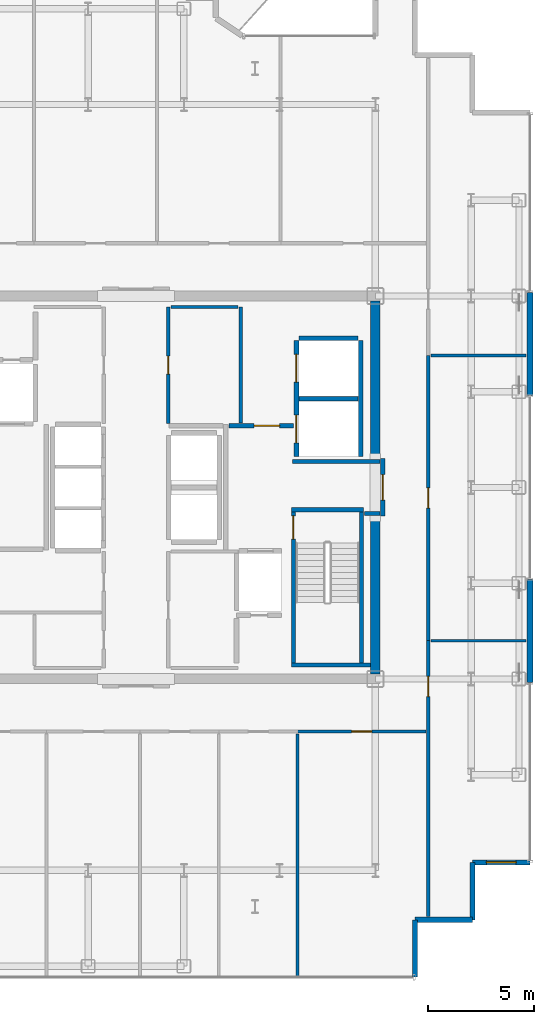
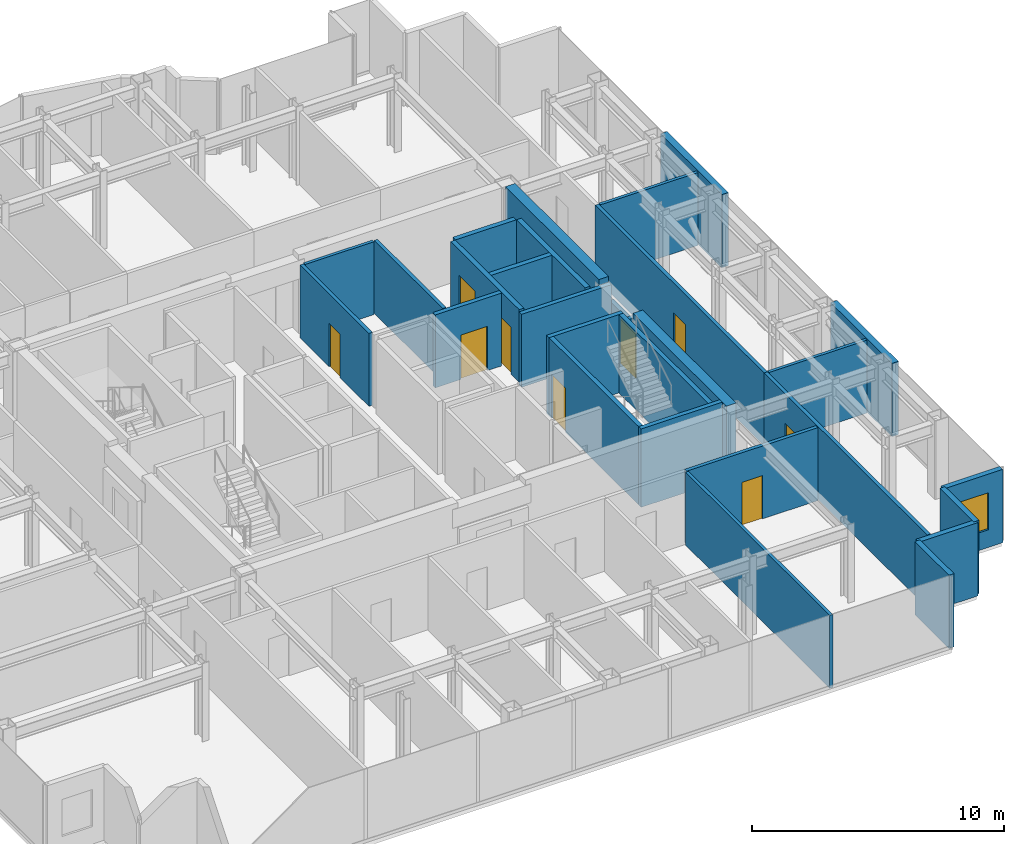
# One storey, part 13 of 16: 29 walls, 9 doors, 1 window, 10 openings.
"""IFC4 building model written with IfcOpenShell, lengths in metres."""

from ifc_helpers import new_model, si_unit, direction, frame, frame_2d, origin, place, context, subcontext, project, spatial, rectangle, extrude, source, transform, mapped, material, layer, layer_set, type_object, element, fill, save


model = new_model("IFC4")

# Units and contexts
model_context = context("Model", 3, precision=1e-05, world=origin(), true_north=direction((0.0, 1.0)))
body_context = subcontext(model_context, "Body", "Model", "MODEL_VIEW")
ifc_project = project(units=[si_unit("LENGTHUNIT", "METRE"), si_unit("AREAUNIT", "SQUARE_METRE"), si_unit("VOLUMEUNIT", "CUBIC_METRE"), si_unit("PLANEANGLEUNIT", "RADIAN"), si_unit("MASSUNIT", "GRAM", prefix="KILO")], contexts=[model_context])

# Site, building, storey
site_placement = place(None, origin())
site = spatial("IfcSite", under=ifc_project, at=site_placement, CompositionType="ELEMENT")
building_placement = place(site_placement, origin())
building = spatial("IfcBuilding", under=site, at=building_placement, Name="Nefas-Gora Pilgrimage Tower", CompositionType="ELEMENT")
storey_placement = place(building_placement, frame((0.0, 0.0, 276.0)))
storey = spatial("IfcBuildingStorey", under=building, at=storey_placement, Name="L69", CompositionType="ELEMENT", Elevation=276.0)

# Walls
ifc_material_1 = material(Name="Concrete C50/60", Category="concrete")
ifc_layer_1 = layer(ifc_material_1, 0.449951171875)
ifc_layer_set_1 = layer_set([ifc_layer_1], Name="Concrete C50/60")
wall_type_1 = type_object("IfcWallType", Name="SW-CORE-450", PredefinedType="SHEAR", material=ifc_layer_set_1)
shared_shape_1 = source(origin(), body_context, "Body", "SweptSolid", [
    extrude(rectangle(XDim=7.4248046875, YDim=0.449951171875, at=frame_2d((3.71240234375, 0.0))), origin(), (0.0, 0.0, 1.0), 3.800048828125),
])
for number, where, z_axis, x_axis, name in (
    (1, (11.25, -8.77490234375, 0.0), (0.0, 0.0, 1.0), (0.0, 1.0, 0.0), "L69 Core Shear Wall E-South"),
    (2, (11.25, 1.35009765625, 0.0), (0.0, 0.0, 1.0), (0.0, 1.0, 0.0), "L69 Core Shear Wall E-North"),
):
    element("IfcWall", number, at=place(storey_placement, frame(where, z_axis=z_axis, x_axis=x_axis)), inside=storey, type_object=wall_type_1, Name=name, PredefinedType="SHEAR", context=body_context, shape_type="MappedRepresentation", body=[
        mapped(shared_shape_1, transform((0.0, 0.0, 0.0), x_axis=(1.0, 0.0, 0.0), y_axis=(0.0, 1.0, 0.0), z_axis=(0.0, 0.0, 1.0), scale=1.0)),
    ])
ifc_material_2 = material(Name="Precast concrete C45/55", Category="concrete")
ifc_layer_2 = layer(ifc_material_2, 0.239990234375)
ifc_layer_set_2 = layer_set([ifc_layer_2], Name="Precast concrete C45/55")
wall_type_2 = type_object("IfcWallType", Name="EW-SERR-240", PredefinedType="SHEAR", material=ifc_layer_set_2)
shared_shape_2 = source(origin(), body_context, "Body", "SweptSolid", [
    extrude(rectangle(XDim=4.8798828125, YDim=0.300048828125, at=frame_2d((2.43994140625, 0.0))), origin(), (0.0, 0.0, 1.0), 3.550048828125),
])
for number, where, z_axis, x_axis, name in (
    (3, (18.52001953125, -9.18994140625, 0.0), (0.0, 0.0, 1.0), (0.0, 1.0, 0.0), "L69 Braced-Tube Precast Shear Cladding 3"),
    (4, (18.52001953125, 4.31005859375, 0.0), (0.0, 0.0, 1.0), (0.0, 1.0, 0.0), "L69 Braced-Tube Precast Shear Cladding 4"),
):
    element("IfcWall", number, at=place(storey_placement, frame(where, z_axis=z_axis, x_axis=x_axis)), inside=storey, type_object=wall_type_2, Name=name, PredefinedType="SHEAR", context=body_context, shape_type="MappedRepresentation", body=[
        mapped(shared_shape_2, transform((0.0, 0.0, 0.0), x_axis=(1.0, 0.0, 0.0), y_axis=(0.0, 1.0, 0.0), z_axis=(0.0, 0.0, 1.0), scale=1.0)),
    ])

# Wall, opening, window
shared_shape_3 = source(origin(), body_context, "Body", "SweptSolid", [
    extrude(rectangle(XDim=2.699951171875, YDim=0.239990234375, at=frame_2d((1.35009765625, 0.0))), origin(), (0.0, 0.0, 1.0), 3.550048828125),
])
wall_1_placement = place(storey_placement, frame((15.820068359375, -17.6201171875, 0.0), z_axis=(0.0, 0.0, 1.0), x_axis=(1.0, 0.0, 0.0)))
wall_1 = element("IfcWall", 5, at=wall_1_placement, inside=storey, type_object=wall_type_2, Name="L69 Serrated Corner Shear Pier Wall 5", PredefinedType="SHEAR", context=body_context, shape_type="MappedRepresentation", body=[
    mapped(shared_shape_3, transform((0.0, 0.0, 0.0), x_axis=(1.0, 0.0, 0.0), y_axis=(0.0, 1.0, 0.0), z_axis=(0.0, 0.0, 1.0), scale=1.0)),
])
opening_1_placement = place(wall_1_placement, frame((0.64990234375, 0.0, 0.85009765625)))
opening_1 = element("IfcOpeningElement", 6, at=opening_1_placement, cuts=wall_1, Name="Opening W-V2", PredefinedType="OPENING", context=body_context, shape_type="SweptSolid", body=[
    extrude(rectangle(XDim=1.39990234375, YDim=1.800048828125, at=frame_2d((0.699951171875, 0.89990234375))), frame((0.0, 0.1298828125, 0.0), z_axis=(0.0, -1.0, 0.0), x_axis=(1.0, 0.0, 0.0)), (0.0, 0.0, 1.0), 0.260009765625),
])
ifc_material_3 = material(Name="Dark ceramic-fritted operable aluminium-glass window", Category="aluminium")
window_type = type_object("IfcWindowType", Name="WIN-VENT-1400x1800", PartitioningType="SINGLE_PANEL", PredefinedType="WINDOW", material=ifc_material_3)
shared_shape_4 = source(origin(), body_context, "Body", "SweptSolid", [
    extrude(rectangle(XDim=1.39990234375, YDim=1.800048828125, at=frame_2d((0.699951171875, 0.89990234375))), frame((0.0, 0.030029296875, 0.0), z_axis=(0.0, -1.0, 0.0), x_axis=(1.0, 0.0, 0.0)), (0.0, 0.0, 1.0), 0.06005859375),
])
window_placement = place(opening_1_placement, origin())
window = element("IfcWindow", 7, at=window_placement, inside=storey, type_object=window_type, Name="L69 Operable Parallel-Outswing Window 5", OverallHeight=1.800048828125, OverallWidth=1.39990234375, PartitioningType="SINGLE_PANEL", PredefinedType="WINDOW", context=body_context, shape_type="MappedRepresentation", body=[
    mapped(shared_shape_4, transform((0.0, 0.0, 0.0), x_axis=(1.0, 0.0, 0.0), y_axis=(0.0, 1.0, 0.0), z_axis=(0.0, 0.0, 1.0), scale=1.0)),
])
fill(opening_1, window)

# Walls
for number, where, z_axis, x_axis, name in (
    (8, (13.1201171875, -23.02001953125, 0.0), (0.0, 0.0, 1.0), (0.0, 1.0, 0.0), "L69 Serrated Corner Shear Pier Wall 29"),
    (9, (13.1201171875, -20.320068359375, 0.0), (0.0, 0.0, 1.0), (1.0, 0.0, 0.0), "L69 Serrated Corner Shear Pier Wall 30"),
    (10, (15.820068359375, -20.320068359375, 0.0), (0.0, 0.0, 1.0), (0.0, 1.0, 0.0), "L69 Serrated Corner Shear Pier Wall 31"),
):
    element("IfcWall", number, at=place(storey_placement, frame(where, z_axis=z_axis, x_axis=x_axis)), inside=storey, type_object=wall_type_2, Name=name, PredefinedType="SHEAR", context=body_context, shape_type="MappedRepresentation", body=[
        mapped(shared_shape_3, transform((0.0, 0.0, 0.0), x_axis=(1.0, 0.0, 0.0), y_axis=(0.0, 1.0, 0.0), z_axis=(0.0, 0.0, 1.0), scale=1.0)),
    ])
ifc_material_4 = material(Name="Concrete C45/55", Category="concrete")
ifc_layer_3 = layer(ifc_material_4, 0.199951171875)
ifc_layer_set_3 = layer_set([ifc_layer_3], Name="Concrete C45/55")
wall_type_3 = type_object("IfcWallType", Name="IW-STAIR-200", PredefinedType="SOLIDWALL", material=ifc_layer_set_3)
shared_shape_5 = source(origin(), body_context, "Body", "SweptSolid", [
    extrude(rectangle(XDim=3.39990234375, YDim=0.199951171875, at=frame_2d((1.699951171875, 0.0))), origin(), (0.0, 0.0, 1.0), 3.800048828125),
])
wall_2_placement = place(storey_placement, frame((7.300048828125, -1.050048828125, 0.0), z_axis=(0.0, 0.0, 1.0), x_axis=(1.0, 0.0, 0.0)))
element("IfcWall", 11, at=wall_2_placement, inside=storey, type_object=wall_type_3, Name="L69 Stairwell Shear Wall ST-02-near", PredefinedType="SOLIDWALL", context=body_context, shape_type="MappedRepresentation", body=[
    mapped(shared_shape_5, transform((0.0, 0.0, 0.0), x_axis=(1.0, 0.0, 0.0), y_axis=(0.0, 1.0, 0.0), z_axis=(0.0, 0.0, 1.0), scale=1.0)),
])

# Wall, opening, door
shared_shape_6 = source(origin(), body_context, "Body", "SweptSolid", [
    extrude(rectangle(XDim=7.10009765625, YDim=0.199951171875, at=frame_2d((3.550048828125, 0.0))), origin(), (0.0, 0.0, 1.0), 3.800048828125),
])
wall_3_placement = place(storey_placement, frame((7.39990234375, -1.14990234375, 0.0), z_axis=(0.0, 0.0, 1.0), x_axis=(0.0, -1.0, 0.0)))
wall_3 = element("IfcWall", 12, at=wall_3_placement, inside=storey, type_object=wall_type_3, Name="L69 Stairwell Shear Wall ST-02-left", PredefinedType="SOLIDWALL", context=body_context, shape_type="MappedRepresentation", body=[
    mapped(shared_shape_6, transform((0.0, 0.0, 0.0), x_axis=(1.0, 0.0, 0.0), y_axis=(0.0, 1.0, 0.0), z_axis=(0.0, 0.0, 1.0), scale=1.0)),
])
opening_2_placement = place(wall_3_placement, frame((0.179931640625, 0.0, 0.0)))
opening_2 = element("IfcOpeningElement", 13, at=opening_2_placement, cuts=wall_3, Name="Opening ID-ST1", PredefinedType="OPENING", context=body_context, shape_type="SweptSolid", body=[
    extrude(rectangle(XDim=1.10009765625, YDim=2.14990234375, at=frame_2d((0.550048828125, 1.074951171875))), frame((0.0, 0.10986328125, 0.0), z_axis=(0.0, -1.0, 0.0), x_axis=(1.0, 0.0, 0.0)), (0.0, 0.0, 1.0), 0.219970703125),
])
ifc_material_5 = material(Name="Painted galvanised steel fire stair door", Category="steel")
door_type_1 = type_object("IfcDoorType", Name="DR-INT-STAIR-1100", OperationType="NOTDEFINED", PredefinedType="DOOR", material=ifc_material_5)
shared_shape_7 = source(origin(), body_context, "Body", "SweptSolid", [
    extrude(rectangle(XDim=1.10009765625, YDim=2.14990234375, at=frame_2d((0.550048828125, 1.074951171875))), frame((0.0, 0.02490234375, 0.0), z_axis=(0.0, -1.0, 0.0), x_axis=(1.0, 0.0, 0.0)), (0.0, 0.0, 1.0), 0.050048828125),
])
door_1_placement = place(opening_2_placement, origin())
door_1 = element("IfcDoor", 14, at=door_1_placement, inside=storey, type_object=door_type_1, Name="L69 Protected Exit Stair Door ST-02", OperationType="SINGLE_SWING_RIGHT", OverallHeight=2.14990234375, OverallWidth=1.10009765625, PredefinedType="DOOR", context=body_context, shape_type="MappedRepresentation", body=[
    mapped(shared_shape_7, transform((0.0, 0.0, 0.0), x_axis=(1.0, 0.0, 0.0), y_axis=(0.0, 1.0, 0.0), z_axis=(0.0, 0.0, 1.0), scale=1.0)),
])
fill(opening_2, door_1)

# Walls
wall_4_placement = place(storey_placement, frame((10.60009765625, -1.14990234375, 0.0), z_axis=(0.0, 0.0, 1.0), x_axis=(0.0, -1.0, 0.0)))
element("IfcWall", 15, at=wall_4_placement, inside=storey, type_object=wall_type_3, Name="L69 Stairwell Shear Wall ST-02-right", PredefinedType="SOLIDWALL", context=body_context, shape_type="MappedRepresentation", body=[
    mapped(shared_shape_6, transform((0.0, 0.0, 0.0), x_axis=(1.0, 0.0, 0.0), y_axis=(0.0, 1.0, 0.0), z_axis=(0.0, 0.0, 1.0), scale=1.0)),
])
shared_shape_8 = source(origin(), body_context, "Body", "SweptSolid", [
    extrude(rectangle(XDim=3.72998046875, YDim=0.199951171875, at=frame_2d((1.864990234375, 0.0))), origin(), (0.0, 0.0, 1.0), 3.800048828125),
])
wall_5_placement = place(storey_placement, frame((7.300048828125, -8.35009765625, 0.0), z_axis=(0.0, 0.0, 1.0), x_axis=(1.0, 0.0, 0.0)))
element("IfcWall", 16, at=wall_5_placement, inside=storey, type_object=wall_type_3, Name="L69 Stairwell Shear Wall ST-02-far", PredefinedType="SOLIDWALL", context=body_context, shape_type="MappedRepresentation", body=[
    mapped(shared_shape_8, transform((0.0, 0.0, 0.0), x_axis=(1.0, 0.0, 0.0), y_axis=(0.0, 1.0, 0.0), z_axis=(0.0, 0.0, 1.0), scale=1.0)),
])

# Wall, openings, doors
ifc_material_6 = material(Name="Concrete C40/50", Category="concrete")
ifc_layer_4 = layer(ifc_material_6, 0.219970703125)
ifc_layer_set_4 = layer_set([ifc_layer_4], Name="Concrete C40/50")
wall_type_4 = type_object("IfcWallType", Name="IW-SHAFT-220", PredefinedType="SOLIDWALL", material=ifc_layer_set_4)
shared_shape_9 = source(origin(), body_context, "Body", "SweptSolid", [
    extrude(rectangle(XDim=5.449951171875, YDim=0.219970703125, at=frame_2d((2.72509765625, 0.0))), origin(), (0.0, 0.0, 1.0), 3.534912109375),
])
wall_6_placement = place(storey_placement, frame((7.5400390625, 6.89990234375, 0.0), z_axis=(0.0, 0.0, 1.0), x_axis=(0.0, -1.0, 0.0)))
wall_6 = element("IfcWall", 17, at=wall_6_placement, inside=storey, type_object=wall_type_4, Name="L69 Hoistway Wall SL-01-02-W", PredefinedType="SOLIDWALL", context=body_context, shape_type="MappedRepresentation", body=[
    mapped(shared_shape_9, transform((0.0, 0.0, 0.0), x_axis=(1.0, 0.0, 0.0), y_axis=(0.0, 1.0, 0.0), z_axis=(0.0, 0.0, 1.0), scale=1.0)),
])
opening_3_placement = place(wall_6_placement, frame((3.5, 0.0, 0.0)))
opening_3 = element("IfcOpeningElement", 18, at=opening_3_placement, cuts=wall_6, Name="Opening LD-SV", PredefinedType="OPENING", context=body_context, shape_type="SweptSolid", body=[
    extrude(rectangle(XDim=1.300048828125, YDim=2.300048828125, at=frame_2d((0.64990234375, 1.14990234375))), frame((0.0, 0.119873046875, 0.0), z_axis=(0.0, -1.0, 0.0), x_axis=(1.0, 0.0, 0.0)), (0.0, 0.0, 1.0), 0.239990234375),
])
opening_4_placement = place(wall_6_placement, frame((0.64990234375, 0.0, 0.0)))
opening_4 = element("IfcOpeningElement", 19, at=opening_4_placement, cuts=wall_6, Name="Opening LD-SV", PredefinedType="OPENING", context=body_context, shape_type="SweptSolid", body=[
    extrude(rectangle(XDim=1.300048828125, YDim=2.300048828125, at=frame_2d((0.64990234375, 1.14990234375))), frame((0.0, 0.119873046875, 0.0), z_axis=(0.0, -1.0, 0.0), x_axis=(1.0, 0.0, 0.0)), (0.0, 0.0, 1.0), 0.239990234375),
])
ifc_material_7 = material(Name="Heavy goods sliding lift landing door")
door_type_2 = type_object("IfcDoorType", Name="DR-LIFT-SERV-1300", OperationType="SLIDING_TO_RIGHT", PredefinedType="DOOR", material=ifc_material_7)
shared_shape_10 = source(origin(), body_context, "Body", "SweptSolid", [
    extrude(rectangle(XDim=1.300048828125, YDim=2.300048828125, at=frame_2d((0.64990234375, 1.14990234375))), frame((0.0, 0.02490234375, 0.0), z_axis=(0.0, -1.0, 0.0), x_axis=(1.0, 0.0, 0.0)), (0.0, 0.0, 1.0), 0.050048828125),
])
door_2_placement = place(opening_3_placement, origin())
door_2 = element("IfcDoor", 20, at=door_2_placement, inside=storey, type_object=door_type_2, Name="L69 Sliding Lift Landing Door SL-01", OperationType="SLIDING_TO_RIGHT", OverallHeight=2.300048828125, OverallWidth=1.300048828125, PredefinedType="DOOR", context=body_context, shape_type="MappedRepresentation", body=[
    mapped(shared_shape_10, transform((0.0, 0.0, 0.0), x_axis=(1.0, 0.0, 0.0), y_axis=(0.0, 1.0, 0.0), z_axis=(0.0, 0.0, 1.0), scale=1.0)),
])
fill(opening_3, door_2)
door_3_placement = place(opening_4_placement, origin())
door_3 = element("IfcDoor", 21, at=door_3_placement, inside=storey, type_object=door_type_2, Name="L69 Sliding Lift Landing Door SL-02", OperationType="SLIDING_TO_RIGHT", OverallHeight=2.300048828125, OverallWidth=1.300048828125, PredefinedType="DOOR", context=body_context, shape_type="MappedRepresentation", body=[
    mapped(shared_shape_10, transform((0.0, 0.0, 0.0), x_axis=(1.0, 0.0, 0.0), y_axis=(0.0, 1.0, 0.0), z_axis=(0.0, 0.0, 1.0), scale=1.0)),
])
fill(opening_4, door_3)

# Walls
wall_7_placement = place(storey_placement, frame((10.56005859375, 1.449951171875, 0.0), z_axis=(0.0, 0.0, 1.0), x_axis=(0.0, 1.0, 0.0)))
element("IfcWall", 22, at=wall_7_placement, inside=storey, type_object=wall_type_4, Name="L69 Hoistway Wall SL-01-02-E", PredefinedType="SOLIDWALL", context=body_context, shape_type="MappedRepresentation", body=[
    mapped(shared_shape_9, transform((0.0, 0.0, 0.0), x_axis=(1.0, 0.0, 0.0), y_axis=(0.0, 1.0, 0.0), z_axis=(0.0, 0.0, 1.0), scale=1.0)),
])
shared_shape_11 = source(origin(), body_context, "Body", "SweptSolid", [
    extrude(rectangle(XDim=2.780029296875, YDim=0.219970703125, at=frame_2d((1.39013671875, 0.0))), origin(), (0.0, 0.0, 1.0), 3.534912109375),
])
for number, where, z_axis, x_axis, name in (
    (23, (7.659912109375, 4.175048828125, 0.0), (0.0, 0.0, 1.0), (1.0, 0.0, 0.0), "L69 Hoistway Wall SL-01-02-DIV"),
    (24, (10.43994140625, 7.010009765625, 0.0), (0.0, 0.0, 1.0), (-1.0, 0.0, 0.0), "L69 Hoistway Wall SL-02-N"),
):
    element("IfcWall", number, at=place(storey_placement, frame(where, z_axis=z_axis, x_axis=x_axis)), inside=storey, type_object=wall_type_4, Name=name, PredefinedType="SOLIDWALL", context=body_context, shape_type="MappedRepresentation", body=[
        mapped(shared_shape_11, transform((0.0, 0.0, 0.0), x_axis=(1.0, 0.0, 0.0), y_axis=(0.0, 1.0, 0.0), z_axis=(0.0, 0.0, 1.0), scale=1.0)),
    ])
ifc_material_8 = material(Name="Gypsum fire-rated shaftwall")
ifc_layer_5 = layer(ifc_material_8, 0.199951171875)
ifc_layer_set_5 = layer_set([ifc_layer_5], Name="Gypsum fire-rated shaftwall")
wall_type_5 = type_object("IfcWallType", Name="IW-FFLOB-200", PredefinedType="PARTITIONING", material=ifc_layer_set_5)
shared_shape_12 = source(origin(), body_context, "Body", "SweptSolid", [
    extrude(rectangle(XDim=0.719970703125, YDim=0.199951171875, at=frame_2d((0.35986328125, 0.0))), origin(), (0.0, 0.0, 1.0), 3.534912109375),
])
wall_8_placement = place(storey_placement, frame((10.739990234375, -1.219970703125, 0.0), z_axis=(0.0, 0.0, 1.0), x_axis=(1.0, 0.0, 0.0)))
element("IfcWall", 25, at=wall_8_placement, inside=storey, type_object=wall_type_5, Name="L69 FF Lobby East Throat S Wall 15", PredefinedType="PARTITIONING", context=body_context, shape_type="MappedRepresentation", body=[
    mapped(shared_shape_12, transform((0.0, 0.0, 0.0), x_axis=(1.0, 0.0, 0.0), y_axis=(0.0, 1.0, 0.0), z_axis=(0.0, 0.0, 1.0), scale=1.0)),
])

# Wall, opening, door
shared_shape_13 = source(origin(), body_context, "Body", "SweptSolid", [
    extrude(rectangle(XDim=3.039794921875, YDim=0.199951171875, at=frame_2d((1.52001953125, 0.0))), origin(), (0.0, 0.0, 1.0), 3.534912109375),
])
wall_9_placement = place(storey_placement, frame((4.360107421875, 2.89990234375, 0.0), z_axis=(0.0, 0.0, 1.0), x_axis=(1.0, 0.0, 0.0)))
wall_9 = element("IfcWall", 26, at=wall_9_placement, inside=storey, type_object=wall_type_5, Name="L69 FF Lobby East North Wall Wall 13", PredefinedType="PARTITIONING", context=body_context, shape_type="MappedRepresentation", body=[
    mapped(shared_shape_13, transform((0.0, 0.0, 0.0), x_axis=(1.0, 0.0, 0.0), y_axis=(0.0, 1.0, 0.0), z_axis=(0.0, 0.0, 1.0), scale=1.0)),
])
opening_5_placement = place(wall_9_placement, frame((1.18994140625, 0.0, 0.0)))
opening_5 = element("IfcOpeningElement", 27, at=opening_5_placement, cuts=wall_9, Name="Opening ID-PL1", PredefinedType="OPENING", context=body_context, shape_type="SweptSolid", body=[
    extrude(rectangle(XDim=1.199951171875, YDim=2.14990234375, at=frame_2d((0.60009765625, 1.074951171875))), frame((0.0, 0.10986328125, 0.0), z_axis=(0.0, -1.0, 0.0), x_axis=(1.0, 0.0, 0.0)), (0.0, 0.0, 1.0), 0.219970703125),
])
ifc_material_9 = material(Name="Heavy-duty steel plant room fire door", Category="steel")
door_type_3 = type_object("IfcDoorType", Name="DR-INT-PLANT-1200", OperationType="NOTDEFINED", PredefinedType="DOOR", material=ifc_material_9)
shared_shape_14 = source(origin(), body_context, "Body", "SweptSolid", [
    extrude(rectangle(XDim=1.199951171875, YDim=2.14990234375, at=frame_2d((0.60009765625, 1.074951171875))), frame((0.0, 0.02490234375, 0.0), z_axis=(0.0, -1.0, 0.0), x_axis=(1.0, 0.0, 0.0)), (0.0, 0.0, 1.0), 0.050048828125),
])
door_4_placement = place(opening_5_placement, origin())
door_4 = element("IfcDoor", 28, at=door_4_placement, inside=storey, type_object=door_type_3, Name="L69 Service Lift Lobby Door Door 5", OperationType="SINGLE_SWING_LEFT", OverallHeight=2.14990234375, OverallWidth=1.199951171875, PredefinedType="DOOR", context=body_context, shape_type="MappedRepresentation", body=[
    mapped(shared_shape_14, transform((0.0, 0.0, 0.0), x_axis=(1.0, 0.0, 0.0), y_axis=(0.0, 1.0, 0.0), z_axis=(0.0, 0.0, 1.0), scale=1.0)),
])
fill(opening_5, door_4)

# Walls
shared_shape_15 = source(origin(), body_context, "Body", "SweptSolid", [
    extrude(rectangle(XDim=4.10986328125, YDim=0.199951171875, at=frame_2d((2.054931640625, 0.0))), origin(), (0.0, 0.0, 1.0), 3.534912109375),
])
wall_10_placement = place(storey_placement, frame((7.35009765625, 1.219970703125, 0.0), z_axis=(0.0, 0.0, 1.0), x_axis=(1.0, 0.0, 0.0)))
element("IfcWall", 29, at=wall_10_placement, inside=storey, type_object=wall_type_5, Name="L69 FF Lobby East Throat N Wall 14", PredefinedType="PARTITIONING", context=body_context, shape_type="MappedRepresentation", body=[
    mapped(shared_shape_15, transform((0.0, 0.0, 0.0), x_axis=(1.0, 0.0, 0.0), y_axis=(0.0, 1.0, 0.0), z_axis=(0.0, 0.0, 1.0), scale=1.0)),
])
ifc_material_10 = material(Name="Gypsum twin-stud partition")
ifc_layer_6 = layer(ifc_material_10, 0.139892578125)
ifc_layer_set_6 = layer_set([ifc_layer_6], Name="Gypsum twin-stud partition")
wall_type_6 = type_object("IfcWallType", Name="IW-UNIT-140", PredefinedType="PARTITIONING", material=ifc_layer_set_6)
shared_shape_16 = source(origin(), body_context, "Body", "SweptSolid", [
    extrude(rectangle(XDim=3.150146484375, YDim=0.139892578125, at=frame_2d((1.5751953125, 0.0))), origin(), (0.0, 0.0, 1.0), 3.534912109375),
])
wall_11_placement = place(storey_placement, frame((1.639892578125, 8.47998046875, 0.0), z_axis=(0.0, 0.0, 1.0), x_axis=(1.0, 0.0, 0.0)))
element("IfcWall", 30, at=wall_11_placement, inside=storey, type_object=wall_type_6, Name="L69 Freed Bank-1 Amenity Supply Store Partition Wall 24", PredefinedType="PARTITIONING", context=body_context, shape_type="MappedRepresentation", body=[
    mapped(shared_shape_16, transform((0.0, 0.0, 0.0), x_axis=(1.0, 0.0, 0.0), y_axis=(0.0, 1.0, 0.0), z_axis=(0.0, 0.0, 1.0), scale=1.0)),
])

# Wall, opening, door
ifc_material_11 = material(Name="Gypsum acoustic stud partition")
ifc_layer_7 = layer(ifc_material_11, 0.159912109375)
ifc_layer_set_7 = layer_set([ifc_layer_7], Name="Gypsum acoustic stud partition")
wall_type_7 = type_object("IfcWallType", Name="IW-CORR-160", PredefinedType="PARTITIONING", material=ifc_layer_set_7)
shared_shape_17 = source(origin(), body_context, "Body", "SweptSolid", [
    extrude(rectangle(XDim=6.025146484375, YDim=0.159912109375, at=frame_2d((3.0126953125, 0.0))), origin(), (0.0, 0.0, 1.0), 3.534912109375),
])
wall_12_placement = place(storey_placement, frame((7.594970703125, -11.469970703125, 0.0), z_axis=(0.0, 0.0, 1.0), x_axis=(1.0, 0.0, 0.0)))
wall_12 = element("IfcWall", 31, at=wall_12_placement, inside=storey, type_object=wall_type_7, Name="L69 Pilgrim Contemplative Lounge Partition Wall 65", PredefinedType="PARTITIONING", context=body_context, shape_type="MappedRepresentation", body=[
    mapped(shared_shape_17, transform((0.0, 0.0, 0.0), x_axis=(1.0, 0.0, 0.0), y_axis=(0.0, 1.0, 0.0), z_axis=(0.0, 0.0, 1.0), scale=1.0)),
])
opening_6_placement = place(wall_12_placement, frame((2.53759765625, 0.0, 0.0)))
opening_6 = element("IfcOpeningElement", 32, at=opening_6_placement, cuts=wall_12, Name="Opening ID-GR1", PredefinedType="OPENING", context=body_context, shape_type="SweptSolid", body=[
    extrude(rectangle(XDim=0.949951171875, YDim=2.10009765625, at=frame_2d((0.47509765625, 1.050048828125))), frame((0.0, 0.08984375, 0.0), z_axis=(0.0, -1.0, 0.0), x_axis=(1.0, 0.0, 0.0)), (0.0, 0.0, 1.0), 0.179931640625),
])
ifc_material_12 = material(Name="Solid core oak fire-rated guest entrance door")
door_type_4 = type_object("IfcDoorType", Name="DR-INT-GUEST-950", OperationType="NOTDEFINED", PredefinedType="DOOR", material=ifc_material_12)
shared_shape_18 = source(origin(), body_context, "Body", "SweptSolid", [
    extrude(rectangle(XDim=0.949951171875, YDim=2.10009765625, at=frame_2d((0.47509765625, 1.050048828125))), frame((0.0, 0.02490234375, 0.0), z_axis=(0.0, -1.0, 0.0), x_axis=(1.0, 0.0, 0.0)), (0.0, 0.0, 1.0), 0.050048828125),
])
door_5_placement = place(opening_6_placement, origin())
door_5 = element("IfcDoor", 33, at=door_5_placement, inside=storey, type_object=door_type_4, Name="L69 Pilgrim Contemplative Lounge Door 32", OperationType="SINGLE_SWING_RIGHT", OverallHeight=2.10009765625, OverallWidth=0.949951171875, PredefinedType="DOOR", context=body_context, shape_type="MappedRepresentation", body=[
    mapped(shared_shape_18, transform((0.0, 0.0, 0.0), x_axis=(1.0, 0.0, 0.0), y_axis=(0.0, 1.0, 0.0), z_axis=(0.0, 0.0, 1.0), scale=1.0)),
])
fill(opening_6, door_5)

shared_shape_19 = source(origin(), body_context, "Body", "SweptSolid", [
    extrude(rectangle(XDim=13.41015625, YDim=0.159912109375, at=frame_2d((6.705078125, 0.0))), origin(), (0.0, 0.0, 1.0), 3.534912109375),
])
wall_13_placement = place(storey_placement, frame((13.739990234375, -7.205078125, 0.0), z_axis=(0.0, 0.0, 1.0), x_axis=(0.0, 1.0, 0.0)))
wall_13 = element("IfcWall", 34, at=wall_13_placement, inside=storey, type_object=wall_type_7, Name="L69 Pilgrim Fellowship Seminar Room Partition Wall 44", PredefinedType="PARTITIONING", context=body_context, shape_type="MappedRepresentation", body=[
    mapped(shared_shape_19, transform((0.0, 0.0, 0.0), x_axis=(1.0, 0.0, 0.0), y_axis=(0.0, 1.0, 0.0), z_axis=(0.0, 0.0, 1.0), scale=1.0)),
])
opening_7_placement = place(wall_13_placement, frame((6.22998046875, 0.0, 0.0)))
opening_7 = element("IfcOpeningElement", 35, at=opening_7_placement, cuts=wall_13, Name="Opening ID-GR1", PredefinedType="OPENING", context=body_context, shape_type="SweptSolid", body=[
    extrude(rectangle(XDim=0.949951171875, YDim=2.10009765625, at=frame_2d((0.47509765625, 1.050048828125))), frame((0.0, 0.08984375, 0.0), z_axis=(0.0, -1.0, 0.0), x_axis=(1.0, 0.0, 0.0)), (0.0, 0.0, 1.0), 0.179931640625),
])
door_6_placement = place(opening_7_placement, origin())
door_6 = element("IfcDoor", 36, at=door_6_placement, inside=storey, type_object=door_type_4, Name="L69 Pilgrim Fellowship Seminar Room Door 20", OperationType="SINGLE_SWING_RIGHT", OverallHeight=2.10009765625, OverallWidth=0.949951171875, PredefinedType="DOOR", context=body_context, shape_type="MappedRepresentation", body=[
    mapped(shared_shape_18, transform((0.0, 0.0, 0.0), x_axis=(1.0, 0.0, 0.0), y_axis=(0.0, 1.0, 0.0), z_axis=(0.0, 0.0, 1.0), scale=1.0)),
])
fill(opening_7, door_6)

# Wall
shared_shape_20 = source(origin(), body_context, "Body", "SweptSolid", [
    extrude(rectangle(XDim=5.449951171875, YDim=0.159912109375, at=frame_2d((2.72509765625, 0.0))), origin(), (0.0, 0.0, 1.0), 3.534912109375),
])
wall_14_placement = place(storey_placement, frame((4.919921875, 3.0400390625, 0.0), z_axis=(0.0, 0.0, 1.0), x_axis=(0.0, 1.0, 0.0)))
element("IfcWall", 37, at=wall_14_placement, inside=storey, type_object=wall_type_7, Name="L69 Service Lift Lobby West Wall Wall 18", PredefinedType="PARTITIONING", context=body_context, shape_type="MappedRepresentation", body=[
    mapped(shared_shape_20, transform((0.0, 0.0, 0.0), x_axis=(1.0, 0.0, 0.0), y_axis=(0.0, 1.0, 0.0), z_axis=(0.0, 0.0, 1.0), scale=1.0)),
])

# Wall, opening, door
shared_shape_21 = source(origin(), body_context, "Body", "SweptSolid", [
    extrude(rectangle(XDim=5.47998046875, YDim=0.159912109375, at=frame_2d((2.739990234375, 0.0))), origin(), (0.0, 0.0, 1.0), 3.534912109375),
])
wall_15_placement = place(storey_placement, frame((1.52001953125, 3.010009765625, 0.0), z_axis=(0.0, 0.0, 1.0), x_axis=(0.0, 1.0, 0.0)))
wall_15 = element("IfcWall", 38, at=wall_15_placement, inside=storey, type_object=wall_type_7, Name="L69 Freed Bank-1 Amenity Supply Store Wall 23", PredefinedType="PARTITIONING", context=body_context, shape_type="MappedRepresentation", body=[
    mapped(shared_shape_21, transform((0.0, 0.0, 0.0), x_axis=(1.0, 0.0, 0.0), y_axis=(0.0, 1.0, 0.0), z_axis=(0.0, 0.0, 1.0), scale=1.0)),
])
opening_8_placement = place(wall_15_placement, frame((2.31494140625, 0.0, 0.0)))
opening_8 = element("IfcOpeningElement", 39, at=opening_8_placement, cuts=wall_15, Name="Opening ID-BT1", PredefinedType="OPENING", context=body_context, shape_type="SweptSolid", body=[
    extrude(rectangle(XDim=0.85009765625, YDim=2.10009765625, at=frame_2d((0.425048828125, 1.050048828125))), frame((0.0, 0.08984375, 0.0), z_axis=(0.0, -1.0, 0.0), x_axis=(1.0, 0.0, 0.0)), (0.0, 0.0, 1.0), 0.179931640625),
])
ifc_material_13 = material(Name="Moisture-resistant fire-rated timber door", Category="wood")
door_type_5 = type_object("IfcDoorType", Name="DR-INT-BATH-850", OperationType="NOTDEFINED", PredefinedType="DOOR", material=ifc_material_13)
shared_shape_22 = source(origin(), body_context, "Body", "SweptSolid", [
    extrude(rectangle(XDim=0.85009765625, YDim=2.10009765625, at=frame_2d((0.425048828125, 1.050048828125))), frame((0.0, 0.02490234375, 0.0), z_axis=(0.0, -1.0, 0.0), x_axis=(1.0, 0.0, 0.0)), (0.0, 0.0, 1.0), 0.050048828125),
])
door_7_placement = place(opening_8_placement, origin())
door_7 = element("IfcDoor", 40, at=door_7_placement, inside=storey, type_object=door_type_5, Name="L69 Freed Bank-1 Amenity Supply Store Door 11", OperationType="SINGLE_SWING_LEFT", OverallHeight=2.10009765625, OverallWidth=0.85009765625, PredefinedType="DOOR", context=body_context, shape_type="MappedRepresentation", body=[
    mapped(shared_shape_22, transform((0.0, 0.0, 0.0), x_axis=(1.0, 0.0, 0.0), y_axis=(0.0, 1.0, 0.0), z_axis=(0.0, 0.0, 1.0), scale=1.0)),
])
fill(opening_8, door_7)

shared_shape_23 = source(origin(), body_context, "Body", "SweptSolid", [
    extrude(rectangle(XDim=2.7001953125, YDim=0.199951171875, at=frame_2d((1.35009765625, 0.0))), origin(), (0.0, 0.0, 1.0), 2.625),
])
wall_16_placement = place(storey_placement, frame((11.60009765625, -1.35009765625, 0.0), z_axis=(0.0, 0.0, 1.0), x_axis=(0.0, 1.0, 0.0)))
wall_16 = element("IfcWall", 41, at=wall_16_placement, inside=storey, type_object=wall_type_5, Name="L69 FF Lobby East Portal Wall 10", PredefinedType="PARTITIONING", context=body_context, shape_type="MappedRepresentation", body=[
    mapped(shared_shape_23, transform((0.0, 0.0, 0.0), x_axis=(1.0, 0.0, 0.0), y_axis=(0.0, 1.0, 0.0), z_axis=(0.0, 0.0, 1.0), scale=1.0)),
])
opening_9_placement = place(wall_16_placement, frame((0.75, 0.0, 0.0)))
opening_9 = element("IfcOpeningElement", 42, at=opening_9_placement, cuts=wall_16, Name="Opening ID-FF1", PredefinedType="OPENING", context=body_context, shape_type="SweptSolid", body=[
    extrude(rectangle(XDim=1.199951171875, YDim=2.14990234375, at=frame_2d((0.60009765625, 1.074951171875))), frame((0.0, 0.10986328125, 0.0), z_axis=(0.0, -1.0, 0.0), x_axis=(1.0, 0.0, 0.0)), (0.0, 0.0, 1.0), 0.219970703125),
])
ifc_material_14 = material(Name="Smoke-sealed steel firefighting lobby door", Category="steel")
door_type_6 = type_object("IfcDoorType", Name="DR-INT-FFLOB-1200", OperationType="NOTDEFINED", PredefinedType="DOOR", material=ifc_material_14)
door_8_placement = place(opening_9_placement, origin())
door_8 = element("IfcDoor", 43, at=door_8_placement, inside=storey, type_object=door_type_6, Name="L69 FF Lobby East Portal Door 4", OperationType="SINGLE_SWING_RIGHT", OverallHeight=2.14990234375, OverallWidth=1.199951171875, PredefinedType="DOOR", context=body_context, shape_type="MappedRepresentation", body=[
    mapped(shared_shape_14, transform((0.0, 0.0, 0.0), x_axis=(1.0, 0.0, 0.0), y_axis=(0.0, 1.0, 0.0), z_axis=(0.0, 0.0, 1.0), scale=1.0)),
])
fill(opening_9, door_8)

# Walls
shared_shape_24 = source(origin(), body_context, "Body", "SweptSolid", [
    extrude(rectangle(XDim=4.469970703125, YDim=0.139892578125, at=frame_2d((2.23486328125, 0.0))), origin(), (0.0, 0.0, 1.0), 3.534912109375),
])
for number, where, z_axis, x_axis, name in (
    (44, (13.860107421875, -7.205078125, 0.0), (0.0, 0.0, 1.0), (1.0, 0.0, 0.0), "L69 Pilgrim Fellowship Seminar Room Partition Wall 43"),
    (45, (13.860107421875, 6.195068359375, 0.0), (0.0, 0.0, 1.0), (1.0, 0.0, 0.0), "L69 Pilgrim Fellowship Seminar Room Partition Wall 45"),
):
    element("IfcWall", number, at=place(storey_placement, frame(where, z_axis=z_axis, x_axis=x_axis)), inside=storey, type_object=wall_type_6, Name=name, PredefinedType="PARTITIONING", context=body_context, shape_type="MappedRepresentation", body=[
        mapped(shared_shape_24, transform((0.0, 0.0, 0.0), x_axis=(1.0, 0.0, 0.0), y_axis=(0.0, 1.0, 0.0), z_axis=(0.0, 0.0, 1.0), scale=1.0)),
    ])
shared_shape_25 = source(origin(), body_context, "Body", "SweptSolid", [
    extrude(rectangle(XDim=11.449951171875, YDim=0.139892578125, at=frame_2d((5.72509765625, 0.0))), origin(), (0.0, 0.0, 1.0), 3.534912109375),
])
wall_17_placement = place(storey_placement, frame((7.594970703125, -23.0400390625, 0.0), z_axis=(0.0, 0.0, 1.0), x_axis=(0.0, 1.0, 0.0)))
element("IfcWall", 46, at=wall_17_placement, inside=storey, type_object=wall_type_6, Name="L69 Pilgrim Contemplative Lounge Partition Wall 64", PredefinedType="PARTITIONING", context=body_context, shape_type="MappedRepresentation", body=[
    mapped(shared_shape_25, transform((0.0, 0.0, 0.0), x_axis=(1.0, 0.0, 0.0), y_axis=(0.0, 1.0, 0.0), z_axis=(0.0, 0.0, 1.0), scale=1.0)),
])

# Wall, opening, door
shared_shape_26 = source(origin(), body_context, "Body", "SweptSolid", [
    extrude(rectangle(XDim=12.96484375, YDim=0.159912109375, at=frame_2d((6.482421875, 0.0))), origin(), (0.0, 0.0, 1.0), 3.534912109375),
])
wall_18_placement = place(storey_placement, frame((13.739990234375, -20.159912109375, 0.0), z_axis=(0.0, 0.0, 1.0), x_axis=(0.0, 1.0, 0.0)))
wall_18 = element("IfcWall", 47, at=wall_18_placement, inside=storey, type_object=wall_type_7, Name="L69 Pilgrim Fellowship Seminar Room Partition Wall 42", PredefinedType="PARTITIONING", context=body_context, shape_type="MappedRepresentation", body=[
    mapped(shared_shape_26, transform((0.0, 0.0, 0.0), x_axis=(1.0, 0.0, 0.0), y_axis=(0.0, 1.0, 0.0), z_axis=(0.0, 0.0, 1.0), scale=1.0)),
])
opening_10_placement = place(wall_18_placement, frame((10.33251953125, 0.0, 0.0)))
opening_10 = element("IfcOpeningElement", 48, at=opening_10_placement, cuts=wall_18, Name="Opening ID-GR1", PredefinedType="OPENING", context=body_context, shape_type="SweptSolid", body=[
    extrude(rectangle(XDim=0.949951171875, YDim=2.10009765625, at=frame_2d((0.47509765625, 1.050048828125))), frame((0.0, 0.08984375, 0.0), z_axis=(0.0, -1.0, 0.0), x_axis=(1.0, 0.0, 0.0)), (0.0, 0.0, 1.0), 0.179931640625),
])
door_9_placement = place(opening_10_placement, origin())
door_9 = element("IfcDoor", 49, at=door_9_placement, inside=storey, type_object=door_type_4, Name="L69 Pilgrim Fellowship Seminar Room Door 19", OperationType="SINGLE_SWING_LEFT", OverallHeight=2.10009765625, OverallWidth=0.949951171875, PredefinedType="DOOR", context=body_context, shape_type="MappedRepresentation", body=[
    mapped(shared_shape_18, transform((0.0, 0.0, 0.0), x_axis=(1.0, 0.0, 0.0), y_axis=(0.0, 1.0, 0.0), z_axis=(0.0, 0.0, 1.0), scale=1.0)),
])
fill(opening_10, door_9)

save(model, "model.ifc")
